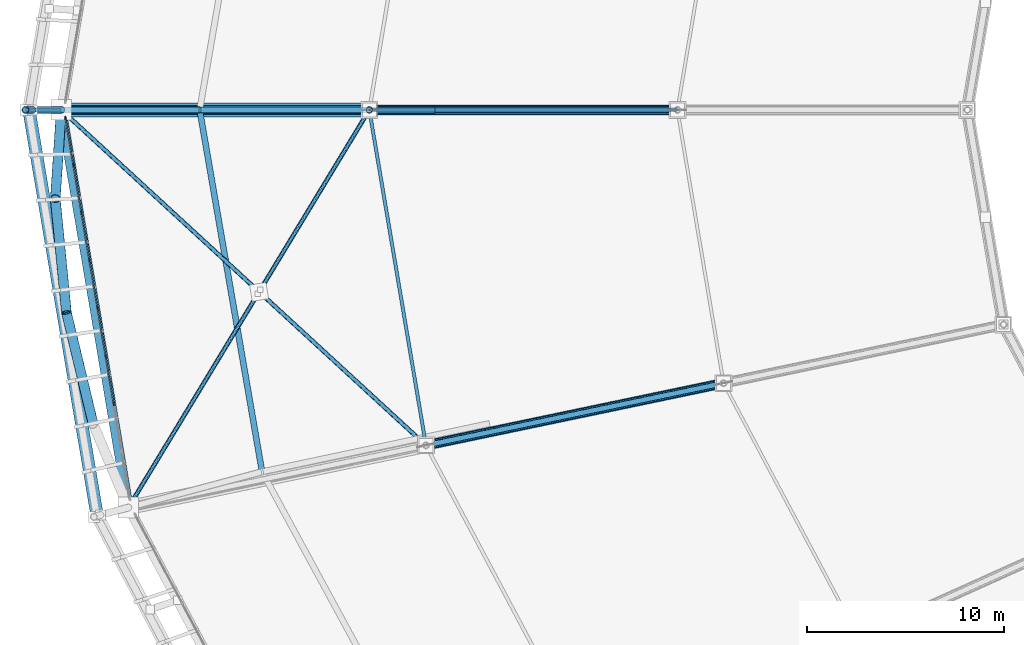
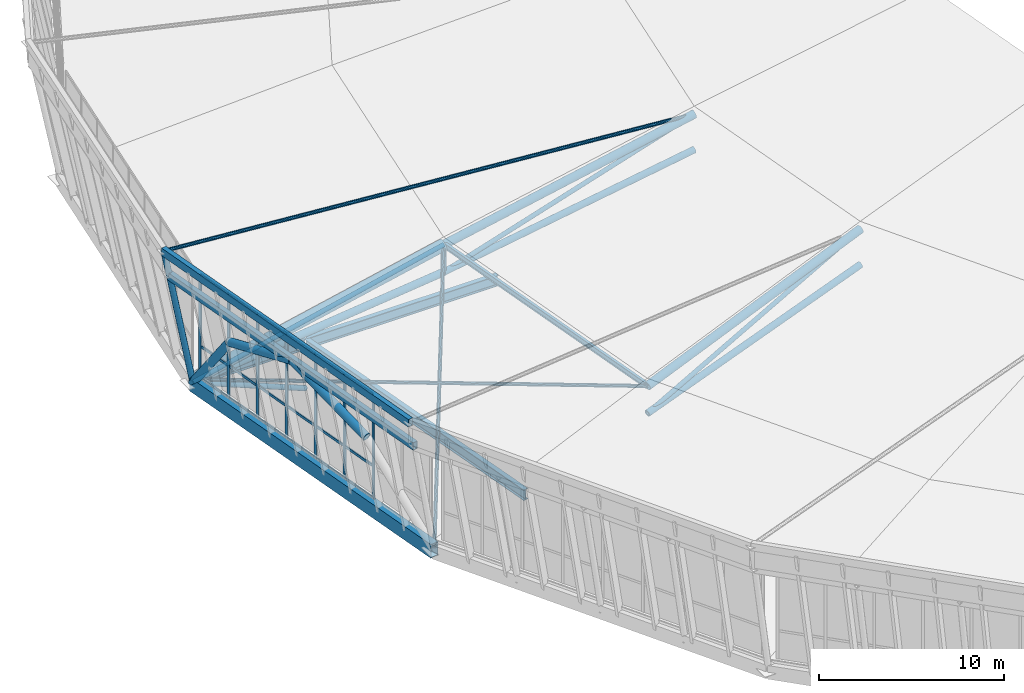
# One storey, part 22 of 115: 46 members, 6 beams, 1 element without a shape of its own.
"""IFC4 building model written with IfcOpenShell, lengths in metres."""

import ifcopenshell
import ifcopenshell.guid

model = None  # the IFC model being written
_history = None  # IfcOwnerHistory: only IFC2X3 demands one
_inside = {}  # id of a spatial element -> (the spatial element, [elements in it])
_under = {}  # id of a project, library or spatial element -> (it, [spatial elements below it])
_declared = {}  # id of a project -> (the project, [libraries it declares])
_typed = {}  # id of a type object -> (the type object, [elements of that type])
_made_of = {}  # id of a material, layer set ... -> (it, [elements and type objects made of it])


def new_model(schema):
    """Start an empty IFC model of exactly this schema.

    Asked for "IFC4X3", IfcOpenShell would pick the latest addendum, in which some entities
    have other attributes; the version numbers below select the first issue.
    IFC2X3 requires an IfcOwnerHistory on every rooted entity: one is made here for all.
    """
    global model, _history
    if schema == "IFC4X3":
        model = ifcopenshell.file(schema_version=(4, 3, 0, 0))
    else:
        model = ifcopenshell.file(schema=schema)
    _inside.clear()
    _under.clear()
    _declared.clear()
    _typed.clear()
    _made_of.clear()
    _history = None
    if model.schema == "IFC2X3":
        org = make("IfcOrganization", Name="unknown")
        user = make(
            "IfcPersonAndOrganization",
            ThePerson=make("IfcPerson", FamilyName="unknown"),
            TheOrganization=org,
        )
        app = make(
            "IfcApplication",
            ApplicationDeveloper=org,
            Version="unknown",
            ApplicationFullName="unknown",
            ApplicationIdentifier="unknown",
        )
        _history = make(
            "IfcOwnerHistory",
            OwningUser=user,
            OwningApplication=app,
            ChangeAction="ADDED",
            CreationDate=0,
        )
    return model


def make(cls, **values):
    """One entity of the class cls with the attributes given. An attribute that is None is left unset."""
    return model.create_entity(
        cls, **{name: value for name, value in values.items() if value is not None}
    )


def rooted(cls, **values):
    """An entity with a GlobalId (a new one), such as an element, a storey or a relation."""
    return make(cls, GlobalId=ifcopenshell.guid.new(), OwnerHistory=_history, **values)


def si_unit(unit_type, name, prefix=None):
    """IfcSIUnit, for example si_unit("LENGTHUNIT", "METRE", prefix="MILLI")."""
    return make("IfcSIUnit", UnitType=unit_type, Prefix=prefix, Name=name)


def assignment(units):
    """IfcUnitAssignment: the units of a project."""
    return None if units is None else make("IfcUnitAssignment", Units=units)


def point(xyz):
    """IfcCartesianPoint."""
    return None if xyz is None else make("IfcCartesianPoint", Coordinates=xyz)


def direction(xyz):
    """IfcDirection."""
    return None if xyz is None else make("IfcDirection", DirectionRatios=xyz)


def frame(location, z_axis=None, x_axis=None):
    """IfcAxis2Placement3D, a coordinate frame: its origin and axes. An axis left out is left unset."""
    return make(
        "IfcAxis2Placement3D",
        Location=point(location),
        Axis=direction(z_axis),
        RefDirection=direction(x_axis),
    )


def frame_2d(location, x_axis=None):
    """IfcAxis2Placement2D, a coordinate frame in the plane: its origin and x axis."""
    return make(
        "IfcAxis2Placement2D", Location=point(location), RefDirection=direction(x_axis)
    )


def origin():
    """The frame at (0, 0, 0) with its axes left unset."""
    return frame((0.0, 0.0, 0.0))


def origin_2d():
    """The frame at (0, 0) in the plane with its x axis left unset."""
    return frame_2d((0.0, 0.0))


def place(relative_to, where):
    """IfcLocalPlacement: puts the frame where relative to a parent placement (None: the world)."""
    return make(
        "IfcLocalPlacement", PlacementRelTo=relative_to, RelativePlacement=where
    )


def context(
    kind, dimensions, precision=None, world=None, true_north=None, identifier=None
):
    """IfcGeometricRepresentationContext, for example the 3D "Model" context."""
    return make(
        "IfcGeometricRepresentationContext",
        ContextIdentifier=identifier,
        ContextType=kind,
        CoordinateSpaceDimension=dimensions,
        Precision=precision,
        WorldCoordinateSystem=world,
        TrueNorth=true_north,
    )


def subcontext(parent, identifier, kind, view, scale=None):
    """IfcGeometricRepresentationSubContext, for example "Body" below "Model"."""
    return make(
        "IfcGeometricRepresentationSubContext",
        ContextIdentifier=identifier,
        ContextType=kind,
        ParentContext=parent,
        TargetScale=scale,
        TargetView=view,
    )


def project(units=None, contexts=None):
    """IfcProject with its units and contexts."""
    return rooted(
        "IfcProject",
        Name="project",
        RepresentationContexts=contexts,
        UnitsInContext=assignment(units),
    )


def spatial(cls, under=None, at=None, **own):
    """A site, building, storey or space (cls), placed at a placement, below another one or the project."""
    s = rooted(cls, ObjectPlacement=at, **own)
    if under is not None:
        _under.setdefault(under.id(), (under, []))[1].append(s)
    return s


def profile(cls, at=None, kind="AREA", **sizes):
    """A parametric profile (cls). Its sizes go by their IFC names, for example OverallWidth=200.0."""
    return make(cls, ProfileType=kind, Position=at, **sizes)


def rectangle(**sizes):
    """IfcRectangleProfileDef."""
    return profile("IfcRectangleProfileDef", **sizes)


def hollow_rectangle(**sizes):
    """IfcRectangleHollowProfileDef."""
    return profile("IfcRectangleHollowProfileDef", **sizes)


def hollow_circle(**sizes):
    """IfcCircleHollowProfileDef."""
    return profile("IfcCircleHollowProfileDef", **sizes)


def i_section(**sizes):
    """IfcIShapeProfileDef."""
    return profile("IfcIShapeProfileDef", **sizes)


def extrude(swept, where, along, depth):
    """IfcExtrudedAreaSolid: the profile swept, set in the frame where, extruded along a direction by depth."""
    return make(
        "IfcExtrudedAreaSolid",
        SweptArea=swept,
        Position=where,
        ExtrudedDirection=direction(along),
        Depth=depth,
    )


def shape(context_of_items, identifier, shape_type, items):
    """IfcShapeRepresentation: the items that make up one representation, for example the "Body"."""
    return make(
        "IfcShapeRepresentation",
        ContextOfItems=context_of_items,
        RepresentationIdentifier=identifier,
        RepresentationType=shape_type,
        Items=items,
    )


def material(Name=None, Category=None):
    """IfcMaterial."""
    return make("IfcMaterial", Name=Name, Category=Category)


def material_profile(
    of_material, cross_section, Name=None, Category=None, Priority=None
):
    """IfcMaterialProfile: a cross section and its material."""
    return make(
        "IfcMaterialProfile",
        Name=Name,
        Material=of_material,
        Profile=cross_section,
        Priority=Priority,
        Category=Category,
    )


def profile_set(profiles, Name=None, composite=None):
    """IfcMaterialProfileSet."""
    return make(
        "IfcMaterialProfileSet",
        Name=Name,
        MaterialProfiles=profiles,
        CompositeProfile=composite,
    )


def made_of(thing, what):
    """Note that an element or type object is made of a material, layer set ...; save() writes the relation."""
    if what is not None:
        _made_of.setdefault(what.id(), (what, []))[1].append(thing)
    return thing


def type_object(cls, material=None, **own):
    """A type object (cls), such as IfcWallType, which elements share."""
    return made_of(rooted(cls, **own), material)


def element(
    cls,
    number,
    at=None,
    inside=None,
    cuts=None,
    type_object=None,
    material=None,
    context=None,
    identifier="Body",
    shape_type=None,
    held_by="IfcProductDefinitionShape",
    body=None,
    shapes=None,
    **own,
):
    """One element of the class cls, such as IfcWall. Its Tag is "e" and its number.

    at: its placement. inside: the storey or other place that contains it. cuts: it is an
    opening in that element (IfcRelVoidsElement). A single representation is given by context,
    identifier, shape_type and body (its items); several are given by shapes. held_by: the class
    of the entity that holds the representations. save() writes the other relations.
    """
    e = rooted(cls, Tag="e%d" % number, ObjectPlacement=at, **own)
    if body is not None:
        shapes = [shape(context, identifier, shape_type, body)]
    if shapes is not None:
        e.Representation = make(held_by, Representations=shapes)
    if inside is not None:
        _inside.setdefault(inside.id(), (inside, []))[1].append(e)
    if cuts is not None:
        rooted(
            "IfcRelVoidsElement", RelatingBuildingElement=cuts, RelatedOpeningElement=e
        )
    if type_object is not None:
        _typed.setdefault(type_object.id(), (type_object, []))[1].append(e)
    return made_of(e, material)


def aggregate(whole, parts):
    """IfcRelAggregates: a whole, such as a stair, and the parts it consists of."""
    return rooted("IfcRelAggregates", RelatingObject=whole, RelatedObjects=parts)


def save(model, path):
    """Write the relations noted so far, then the file.

    IfcRelAggregates (storeys below a building ...), IfcRelContainedInSpatialStructure (elements
    in a storey), IfcRelDefinesByType, IfcRelAssociatesMaterial and IfcRelDeclares: one each for
    every whole, place, type object, material and project.
    """
    for whole, parts in _under.values():
        aggregate(whole, parts)
    for where, things in _inside.values():
        rooted(
            "IfcRelContainedInSpatialStructure",
            RelatedElements=things,
            RelatingStructure=where,
        )
    for kind, things in _typed.values():
        rooted("IfcRelDefinesByType", RelatedObjects=things, RelatingType=kind)
    for what, things in _made_of.values():
        rooted("IfcRelAssociatesMaterial", RelatedObjects=things, RelatingMaterial=what)
    for by, libraries in _declared.values():
        rooted("IfcRelDeclares", RelatingContext=by, RelatedDefinitions=libraries)
    model.write(path)


model = new_model("IFC4")

# Units and contexts
model_context = context("Model", 3, precision=1e-05, world=origin(), true_north=direction((0.0, 1.0)))
body_context = subcontext(model_context, "Body", "Model", "MODEL_VIEW")
ifc_project = project(units=[si_unit("LENGTHUNIT", "METRE"), si_unit("AREAUNIT", "SQUARE_METRE"), si_unit("VOLUMEUNIT", "CUBIC_METRE"), si_unit("PLANEANGLEUNIT", "RADIAN"), si_unit("MASSUNIT", "GRAM", prefix="KILO")], contexts=[model_context])

# Site, building, storey
site_placement = place(None, origin())
site = spatial("IfcSite", under=ifc_project, at=site_placement, CompositionType="ELEMENT")
building_placement = place(site_placement, origin())
building = spatial("IfcBuilding", under=site, at=building_placement, Name="Zlatoyarsky Gate Stadium", CompositionType="ELEMENT")
storey_placement = place(building_placement, frame((0.0, 0.0, 31.800048828125)))
storey = spatial("IfcBuildingStorey", under=building, at=storey_placement, Name="RF", CompositionType="ELEMENT", Elevation=31.800048828125)

# Curtain wall, members
ifc_material_1 = material(Name="Thermally broken anodised aluminium curtain wall", Category="aluminium")
curtain_wall_type = type_object("IfcCurtainWallType", Name="MONUMENTAL ARCHED GATE GLAZING UPPER", PredefinedType="USERDEFINED", material=ifc_material_1)
curtain_wall_placement = place(storey_placement, origin())
curtain_wall = element("IfcCurtainWall", 1, at=curtain_wall_placement, inside=storey, type_object=curtain_wall_type, Name="Curtain wall CW-RF-12", ObjectType="ARCHED GATE GLAZING", PredefinedType="USERDEFINED")
ifc_material_2 = material(Name="Anodised aluminium 6063-T6", Category="aluminium")
ifc_material_profile_1 = material_profile(ifc_material_2, rectangle(XDim=0.074951171875, YDim=0.18994140625, at=origin_2d()), Name="ALU 75X190")
ifc_profile_set_1 = profile_set([ifc_material_profile_1], Name="Anodised aluminium 6063-T6")
member_type_1 = type_object("IfcMemberType", Name="ALUMINIUM GATE MULLION 75X190", PredefinedType="MULLION", material=ifc_profile_set_1)
member_1_placement = place(storey_placement, frame((11.185302734375, 79.568603515625, 0.0), z_axis=(0.0, 0.0, 1.0), x_axis=(0.986044463486, 0.166482179311, 0.0)))
member_1 = element("IfcMember", 2, at=member_1_placement, type_object=member_type_1, Name="CW-AG2 mullion 1", PredefinedType="MULLION", context=body_context, shape_type="SweptSolid", body=[
    extrude(rectangle(XDim=0.074951171875, YDim=0.18994140625, at=origin_2d()), origin(), (0.0, 0.0, 1.0), 6.89990234375),
])
member_2_placement = place(storey_placement, frame((11.587890625, 77.184326171875, 0.0), z_axis=(0.0, 0.0, 1.0), x_axis=(0.986044463486, 0.166482179311, 0.0)))
member_2 = element("IfcMember", 3, at=member_2_placement, type_object=member_type_1, Name="CW-AG2 mullion 2", PredefinedType="MULLION", context=body_context, shape_type="SweptSolid", body=[
    extrude(rectangle(XDim=0.074951171875, YDim=0.18994140625, at=origin_2d()), origin(), (0.0, 0.0, 1.0), 6.89990234375),
])
member_3_placement = place(storey_placement, frame((11.99658203125, 74.76318359375, 0.0), z_axis=(0.0, 0.0, 1.0), x_axis=(0.986044463486, 0.166482179311, 0.0)))
member_3 = element("IfcMember", 4, at=member_3_placement, type_object=member_type_1, Name="CW-AG2 mullion 3", PredefinedType="MULLION", context=body_context, shape_type="SweptSolid", body=[
    extrude(rectangle(XDim=0.074951171875, YDim=0.18994140625, at=origin_2d()), origin(), (0.0, 0.0, 1.0), 6.89990234375),
])
member_4_placement = place(storey_placement, frame((12.405517578125, 72.341796875, 0.0), z_axis=(0.0, 0.0, 1.0), x_axis=(0.986044463486, 0.166482179311, 0.0)))
member_4 = element("IfcMember", 5, at=member_4_placement, type_object=member_type_1, Name="CW-AG2 mullion 4", PredefinedType="MULLION", context=body_context, shape_type="SweptSolid", body=[
    extrude(rectangle(XDim=0.074951171875, YDim=0.18994140625, at=origin_2d()), origin(), (0.0, 0.0, 1.0), 6.89990234375),
])
member_5_placement = place(storey_placement, frame((12.814208984375, 69.920654296875, 0.0), z_axis=(0.0, 0.0, 1.0), x_axis=(0.986044463486, 0.166482179311, 0.0)))
member_5 = element("IfcMember", 6, at=member_5_placement, type_object=member_type_1, Name="CW-AG2 mullion 5", PredefinedType="MULLION", context=body_context, shape_type="SweptSolid", body=[
    extrude(rectangle(XDim=0.074951171875, YDim=0.18994140625, at=origin_2d()), origin(), (0.0, 0.0, 1.0), 6.89990234375),
])
member_6_placement = place(storey_placement, frame((13.222900390625, 67.499267578125, 0.0), z_axis=(0.0, 0.0, 1.0), x_axis=(0.986044463486, 0.166482179311, 0.0)))
member_6 = element("IfcMember", 7, at=member_6_placement, type_object=member_type_1, Name="CW-AG2 mullion 6", PredefinedType="MULLION", context=body_context, shape_type="SweptSolid", body=[
    extrude(rectangle(XDim=0.074951171875, YDim=0.18994140625, at=origin_2d()), origin(), (0.0, 0.0, 1.0), 6.89990234375),
])
member_7_placement = place(storey_placement, frame((13.6318359375, 65.078125, 0.0), z_axis=(0.0, 0.0, 1.0), x_axis=(0.986044463486, 0.166482179311, 0.0)))
member_7 = element("IfcMember", 8, at=member_7_placement, type_object=member_type_1, Name="CW-AG2 mullion 7", PredefinedType="MULLION", context=body_context, shape_type="SweptSolid", body=[
    extrude(rectangle(XDim=0.074951171875, YDim=0.18994140625, at=origin_2d()), origin(), (0.0, 0.0, 1.0), 6.89990234375),
])
ifc_material_profile_2 = material_profile(ifc_material_2, rectangle(XDim=0.074951171875, YDim=0.169921875, at=origin_2d()), Name="ALU 75X170")
ifc_profile_set_2 = profile_set([ifc_material_profile_2], Name="Anodised aluminium 6063-T6")
member_type_2 = type_object("IfcMemberType", Name="ALUMINIUM GATE TRANSOM 75X170", PredefinedType="USERDEFINED", material=ifc_profile_set_2)
member_8_placement = place(storey_placement, frame((11.19140625, 79.53173828125, 0.037353515625), z_axis=(0.166510761943, -0.986039637214, 0.0), x_axis=(0.986039637214, 0.166510761943, 0.0)))
member_8 = element("IfcMember", 9, at=member_8_placement, type_object=member_type_2, Name="CW-AG2 transom 1.1", ObjectType="TRANSOM", PredefinedType="USERDEFINED", context=body_context, shape_type="SweptSolid", body=[
    extrude(rectangle(XDim=0.074951171875, YDim=0.169921875, at=origin_2d()), origin(), (0.0, 0.0, 1.0), 2.343017578125),
])
member_9_placement = place(storey_placement, frame((11.19140625, 79.53173828125, 2.14990234375), z_axis=(0.166510761943, -0.986039637214, 0.0), x_axis=(0.986039637214, 0.166510761943, 0.0)))
member_9 = element("IfcMember", 10, at=member_9_placement, type_object=member_type_2, Name="CW-AG2 transom 1.2", ObjectType="TRANSOM", PredefinedType="USERDEFINED", context=body_context, shape_type="SweptSolid", body=[
    extrude(rectangle(XDim=0.074951171875, YDim=0.169921875, at=origin_2d()), origin(), (0.0, 0.0, 1.0), 2.343017578125),
])
member_10_placement = place(storey_placement, frame((11.19140625, 79.53173828125, 6.862548828125), z_axis=(0.166510761943, -0.986039637214, 0.0), x_axis=(0.986039637214, 0.166510761943, 0.0)))
member_10 = element("IfcMember", 11, at=member_10_placement, type_object=member_type_2, Name="CW-AG2 transom 1.3", ObjectType="TRANSOM", PredefinedType="USERDEFINED", context=body_context, shape_type="SweptSolid", body=[
    extrude(rectangle(XDim=0.074951171875, YDim=0.169921875, at=origin_2d()), origin(), (0.0, 0.0, 1.0), 2.343017578125),
])
member_11_placement = place(storey_placement, frame((11.593994140625, 77.1474609375, 0.037353515625), z_axis=(0.166543868002, -0.986034046081, 0.0), x_axis=(0.986034046081, 0.166543868002, 0.0)))
member_11 = element("IfcMember", 12, at=member_11_placement, type_object=member_type_2, Name="CW-AG2 transom 2.1", ObjectType="TRANSOM", PredefinedType="USERDEFINED", context=body_context, shape_type="SweptSolid", body=[
    extrude(rectangle(XDim=0.074951171875, YDim=0.169921875, at=origin_2d()), origin(), (0.0, 0.0, 1.0), 2.380615234375),
])
member_12_placement = place(storey_placement, frame((11.593994140625, 77.1474609375, 2.14990234375), z_axis=(0.166543868002, -0.986034046081, 0.0), x_axis=(0.986034046081, 0.166543868002, 0.0)))
member_12 = element("IfcMember", 13, at=member_12_placement, type_object=member_type_2, Name="CW-AG2 transom 2.2", ObjectType="TRANSOM", PredefinedType="USERDEFINED", context=body_context, shape_type="SweptSolid", body=[
    extrude(rectangle(XDim=0.074951171875, YDim=0.169921875, at=origin_2d()), origin(), (0.0, 0.0, 1.0), 2.380615234375),
])
member_13_placement = place(storey_placement, frame((11.593994140625, 77.1474609375, 6.862548828125), z_axis=(0.166543868002, -0.986034046081, 0.0), x_axis=(0.986034046081, 0.166543868002, 0.0)))
member_13 = element("IfcMember", 14, at=member_13_placement, type_object=member_type_2, Name="CW-AG2 transom 2.3", ObjectType="TRANSOM", PredefinedType="USERDEFINED", context=body_context, shape_type="SweptSolid", body=[
    extrude(rectangle(XDim=0.074951171875, YDim=0.169921875, at=origin_2d()), origin(), (0.0, 0.0, 1.0), 2.380615234375),
])
member_14_placement = place(storey_placement, frame((12.0029296875, 74.72607421875, 0.037353515625), z_axis=(0.166460991253, -0.98604804061, 0.0), x_axis=(0.98604804061, 0.166460991253, 0.0)))
member_14 = element("IfcMember", 15, at=member_14_placement, type_object=member_type_2, Name="CW-AG2 transom 3.1", ObjectType="TRANSOM", PredefinedType="USERDEFINED", context=body_context, shape_type="SweptSolid", body=[
    extrude(rectangle(XDim=0.074951171875, YDim=0.169921875, at=origin_2d()), origin(), (0.0, 0.0, 1.0), 2.38037109375),
])
member_15_placement = place(storey_placement, frame((12.0029296875, 74.72607421875, 2.14990234375), z_axis=(0.166460991253, -0.98604804061, 0.0), x_axis=(0.98604804061, 0.166460991253, 0.0)))
member_15 = element("IfcMember", 16, at=member_15_placement, type_object=member_type_2, Name="CW-AG2 transom 3.2", ObjectType="TRANSOM", PredefinedType="USERDEFINED", context=body_context, shape_type="SweptSolid", body=[
    extrude(rectangle(XDim=0.074951171875, YDim=0.169921875, at=origin_2d()), origin(), (0.0, 0.0, 1.0), 2.38037109375),
])
member_16_placement = place(storey_placement, frame((12.0029296875, 74.72607421875, 6.862548828125), z_axis=(0.166460991253, -0.98604804061, 0.0), x_axis=(0.98604804061, 0.166460991253, 0.0)))
member_16 = element("IfcMember", 17, at=member_16_placement, type_object=member_type_2, Name="CW-AG2 transom 3.3", ObjectType="TRANSOM", PredefinedType="USERDEFINED", context=body_context, shape_type="SweptSolid", body=[
    extrude(rectangle(XDim=0.074951171875, YDim=0.169921875, at=origin_2d()), origin(), (0.0, 0.0, 1.0), 2.38037109375),
])
member_17_placement = place(storey_placement, frame((12.41162109375, 72.304931640625, 0.037353515625), z_axis=(0.166444158265, -0.986050882145, 0.0), x_axis=(0.986050882145, 0.166444158265, 0.0)))
member_17 = element("IfcMember", 18, at=member_17_placement, type_object=member_type_2, Name="CW-AG2 transom 4.1", ObjectType="TRANSOM", PredefinedType="USERDEFINED", context=body_context, shape_type="SweptSolid", body=[
    extrude(rectangle(XDim=0.074951171875, YDim=0.169921875, at=origin_2d()), origin(), (0.0, 0.0, 1.0), 2.380615234375),
])
member_18_placement = place(storey_placement, frame((12.41162109375, 72.304931640625, 2.14990234375), z_axis=(0.166444158265, -0.986050882145, 0.0), x_axis=(0.986050882145, 0.166444158265, 0.0)))
member_18 = element("IfcMember", 19, at=member_18_placement, type_object=member_type_2, Name="CW-AG2 transom 4.2", ObjectType="TRANSOM", PredefinedType="USERDEFINED", context=body_context, shape_type="SweptSolid", body=[
    extrude(rectangle(XDim=0.074951171875, YDim=0.169921875, at=origin_2d()), origin(), (0.0, 0.0, 1.0), 2.380615234375),
])
member_19_placement = place(storey_placement, frame((12.41162109375, 72.304931640625, 6.862548828125), z_axis=(0.166444158265, -0.986050882145, 0.0), x_axis=(0.986050882145, 0.166444158265, 0.0)))
member_19 = element("IfcMember", 20, at=member_19_placement, type_object=member_type_2, Name="CW-AG2 transom 4.3", ObjectType="TRANSOM", PredefinedType="USERDEFINED", context=body_context, shape_type="SweptSolid", body=[
    extrude(rectangle(XDim=0.074951171875, YDim=0.169921875, at=origin_2d()), origin(), (0.0, 0.0, 1.0), 2.380615234375),
])
member_20_placement = place(storey_placement, frame((12.820556640625, 69.883544921875, 0.037353515625), z_axis=(0.166460991253, -0.98604804061, 0.0), x_axis=(0.98604804061, 0.166460991253, 0.0)))
member_20 = element("IfcMember", 21, at=member_20_placement, type_object=member_type_2, Name="CW-AG2 transom 5.1", ObjectType="TRANSOM", PredefinedType="USERDEFINED", context=body_context, shape_type="SweptSolid", body=[
    extrude(rectangle(XDim=0.074951171875, YDim=0.169921875, at=origin_2d()), origin(), (0.0, 0.0, 1.0), 2.38037109375),
])
member_21_placement = place(storey_placement, frame((12.820556640625, 69.883544921875, 2.14990234375), z_axis=(0.166460991253, -0.98604804061, 0.0), x_axis=(0.98604804061, 0.166460991253, 0.0)))
member_21 = element("IfcMember", 22, at=member_21_placement, type_object=member_type_2, Name="CW-AG2 transom 5.2", ObjectType="TRANSOM", PredefinedType="USERDEFINED", context=body_context, shape_type="SweptSolid", body=[
    extrude(rectangle(XDim=0.074951171875, YDim=0.169921875, at=origin_2d()), origin(), (0.0, 0.0, 1.0), 2.38037109375),
])
member_22_placement = place(storey_placement, frame((12.820556640625, 69.883544921875, 6.862548828125), z_axis=(0.166460991253, -0.98604804061, 0.0), x_axis=(0.98604804061, 0.166460991253, 0.0)))
member_22 = element("IfcMember", 23, at=member_22_placement, type_object=member_type_2, Name="CW-AG2 transom 5.3", ObjectType="TRANSOM", PredefinedType="USERDEFINED", context=body_context, shape_type="SweptSolid", body=[
    extrude(rectangle(XDim=0.074951171875, YDim=0.169921875, at=origin_2d()), origin(), (0.0, 0.0, 1.0), 2.38037109375),
])
member_23_placement = place(storey_placement, frame((13.229248046875, 67.46240234375, 0.037353515625), z_axis=(0.166444158265, -0.986050882145, 0.0), x_axis=(0.986050882145, 0.166444158265, 0.0)))
member_23 = element("IfcMember", 24, at=member_23_placement, type_object=member_type_2, Name="CW-AG2 transom 6.1", ObjectType="TRANSOM", PredefinedType="USERDEFINED", context=body_context, shape_type="SweptSolid", body=[
    extrude(rectangle(XDim=0.074951171875, YDim=0.169921875, at=origin_2d()), origin(), (0.0, 0.0, 1.0), 2.380615234375),
])
member_24_placement = place(storey_placement, frame((13.229248046875, 67.46240234375, 2.14990234375), z_axis=(0.166444158265, -0.986050882145, 0.0), x_axis=(0.986050882145, 0.166444158265, 0.0)))
member_24 = element("IfcMember", 25, at=member_24_placement, type_object=member_type_2, Name="CW-AG2 transom 6.2", ObjectType="TRANSOM", PredefinedType="USERDEFINED", context=body_context, shape_type="SweptSolid", body=[
    extrude(rectangle(XDim=0.074951171875, YDim=0.169921875, at=origin_2d()), origin(), (0.0, 0.0, 1.0), 2.380615234375),
])
member_25_placement = place(storey_placement, frame((13.229248046875, 67.46240234375, 6.862548828125), z_axis=(0.166444158265, -0.986050882145, 0.0), x_axis=(0.986050882145, 0.166444158265, 0.0)))
member_25 = element("IfcMember", 26, at=member_25_placement, type_object=member_type_2, Name="CW-AG2 transom 6.3", ObjectType="TRANSOM", PredefinedType="USERDEFINED", context=body_context, shape_type="SweptSolid", body=[
    extrude(rectangle(XDim=0.074951171875, YDim=0.169921875, at=origin_2d()), origin(), (0.0, 0.0, 1.0), 2.380615234375),
])
aggregate(curtain_wall, [member_1, member_2, member_3, member_4, member_5, member_6, member_7, member_8, member_9, member_10, member_11, member_12, member_13, member_14, member_15, member_16, member_17, member_18, member_19, member_20, member_21, member_22, member_23, member_24, member_25])

# Members
ifc_material_3 = material(Name="Steel S355", Category="steel")
ifc_material_profile_3 = material_profile(ifc_material_3, hollow_circle(Radius=0.228515625, WallThickness=0.02490234375, at=origin_2d()), Name="CHS 457X25")
ifc_profile_set_3 = profile_set([ifc_material_profile_3], Name="Steel S355")
member_type_3 = type_object("IfcMemberType", Name="STEEL ARCH BOTTOM CHORD CHS 457X25", PredefinedType="CHORD", material=ifc_profile_set_3)
member_26_placement = place(storey_placement, frame((10.972412109375, 80.0, -0.449951171875), z_axis=(0.99344724285, 0.0, 0.114291625561), x_axis=(0.0, 1.0, 0.0)))
element("IfcMember", 27, at=member_26_placement, inside=storey, type_object=member_type_3, Name="Radial truss R13 bottom chord 1", PredefinedType="CHORD", context=body_context, shape_type="SweptSolid", body=[
    extrude(hollow_circle(Radius=0.228515625, WallThickness=0.02490234375, at=origin_2d()), origin(), (0.0, 0.0, 1.0), 15.74755859375),
])
ifc_material_profile_4 = material_profile(ifc_material_3, hollow_circle(Radius=0.203125, WallThickness=0.02001953125, at=origin_2d()), Name="CHS 406.4X20")
ifc_profile_set_4 = profile_set([ifc_material_profile_4], Name="Steel S355")
member_type_4 = type_object("IfcMemberType", Name="STEEL ARCH INNER CHORD CHS 406.4X20", PredefinedType="CHORD", material=ifc_profile_set_4)
member_27_placement = place(storey_placement, frame((26.61669921875, 80.0, 1.349853515625), z_axis=(0.98646829902, 0.0, 0.163952111996), x_axis=(0.0, 1.0, 0.0)))
element("IfcMember", 28, at=member_27_placement, inside=storey, type_object=member_type_4, Name="Radial truss R13 bottom chord 2", PredefinedType="CHORD", context=body_context, shape_type="SweptSolid", body=[
    extrude(hollow_circle(Radius=0.203125, WallThickness=0.02001953125, at=origin_2d()), origin(), (0.0, 0.0, 1.0), 15.85888671875),
])
member_28_placement = place(storey_placement, frame((29.491943359375, 62.96337890625, 1.349853515625), z_axis=(0.965249914484, 0.201764304536, 0.166083617508), x_axis=(-0.204605938681, 0.978844425768, 0.0)))
element("IfcMember", 29, at=member_28_placement, inside=storey, type_object=member_type_4, Name="Radial truss R14 bottom chord 2", PredefinedType="CHORD", context=body_context, shape_type="SweptSolid", body=[
    extrude(hollow_circle(Radius=0.203125, WallThickness=0.02001953125, at=origin_2d()), origin(), (0.0, 0.0, 1.0), 15.6552734375),
])
ifc_material_profile_5 = material_profile(ifc_material_3, hollow_circle(Radius=0.25390625, WallThickness=0.02490234375, at=origin_2d()), Name="CHS 508X25")
ifc_profile_set_5 = profile_set([ifc_material_profile_5], Name="Steel S355")
member_type_5 = type_object("IfcMemberType", Name="STEEL ARCH TOP CHORD CHS 508X25", PredefinedType="CHORD", material=ifc_profile_set_5)
member_29_placement = place(storey_placement, frame((10.972412109375, 80.0, -0.449951171875), z_axis=(-0.042754597563, -0.632946474041, 0.773014104261), x_axis=(0.997726376343, -0.067394940091, 0.0)))
element("IfcMember", 30, at=member_29_placement, inside=storey, type_object=member_type_5, Name="Monumental gate portal arch chord 12-1", PredefinedType="CHORD", context=body_context, shape_type="SweptSolid", body=[
    extrude(hollow_circle(Radius=0.25390625, WallThickness=0.02490234375, at=origin_2d()), origin(), (0.0, 0.0, 1.0), 7.114990234375),
])
member_30_placement = place(storey_placement, frame((10.668212890625, 75.49658203125, 5.050048828125), z_axis=(0.09154052463, -0.936028532383, 0.339810121856), x_axis=(0.995251931912, 0.097332379125, 0.0)))
element("IfcMember", 31, at=member_30_placement, inside=storey, type_object=member_type_5, Name="Monumental gate portal arch chord 12-2", PredefinedType="CHORD", context=body_context, shape_type="SweptSolid", body=[
    extrude(hollow_circle(Radius=0.25390625, WallThickness=0.02490234375, at=origin_2d()), origin(), (0.0, 0.0, 1.0), 6.179443359375),
])
member_31_placement = place(storey_placement, frame((11.23388671875, 69.71240234375, 7.14990234375), z_axis=(0.219622597376, -0.915035149126, -0.33834389397), x_axis=(0.97238388679, 0.233387181976, 0.0)))
element("IfcMember", 32, at=member_31_placement, inside=storey, type_object=member_type_5, Name="Monumental gate portal arch chord 12-3", PredefinedType="CHORD", context=body_context, shape_type="SweptSolid", body=[
    extrude(hollow_circle(Radius=0.25390625, WallThickness=0.02490234375, at=origin_2d()), origin(), (0.0, 0.0, 1.0), 6.206298828125),
])
member_32_placement = place(storey_placement, frame((26.61669921875, 80.0, 3.14990234375), z_axis=(0.980323289815, 0.0, 0.197398701735), x_axis=(0.0, 1.0, 0.0)))
element("IfcMember", 33, at=member_32_placement, inside=storey, type_object=member_type_5, Name="Radial truss R13 top chord 2", PredefinedType="CHORD", context=body_context, shape_type="SweptSolid", body=[
    extrude(hollow_circle(Radius=0.25390625, WallThickness=0.02490234375, at=origin_2d()), origin(), (0.0, 0.0, 1.0), 15.958251953125),
])
member_33_placement = place(storey_placement, frame((29.491943359375, 62.96337890625, 3.14990234375), z_axis=(0.959081226952, 0.200474875829, 0.199932549298), x_axis=(-0.204605938681, 0.978844425768, 0.0)))
element("IfcMember", 34, at=member_33_placement, inside=storey, type_object=member_type_5, Name="Radial truss R14 top chord 2", PredefinedType="CHORD", context=body_context, shape_type="SweptSolid", body=[
    extrude(hollow_circle(Radius=0.25390625, WallThickness=0.02490234375, at=origin_2d()), origin(), (0.0, 0.0, 1.0), 15.756103515625),
])
ifc_material_profile_6 = material_profile(ifc_material_3, hollow_circle(Radius=0.35546875, WallThickness=0.031982421875, at=origin_2d()), Name="CHS 711X32")
ifc_profile_set_6 = profile_set([ifc_material_profile_6], Name="Steel S355")
member_type_6 = type_object("IfcMemberType", Name="STEEL ARCH TOP CHORD CHS 711X32", PredefinedType="CHORD", material=ifc_profile_set_6)
member_34_placement = place(storey_placement, frame((10.972412109375, 80.0, -0.25), z_axis=(0.977189712419, 0.0, 0.21236823195), x_axis=(0.0, 1.0, 0.0)))
element("IfcMember", 35, at=member_34_placement, inside=storey, type_object=member_type_6, Name="Radial truss R13 top chord 1", PredefinedType="CHORD", context=body_context, shape_type="SweptSolid", body=[
    extrude(hollow_circle(Radius=0.35546875, WallThickness=0.031982421875, at=origin_2d()), origin(), (0.0, 0.0, 1.0), 16.009521484375),
])
ifc_material_profile_7 = material_profile(ifc_material_3, hollow_circle(Radius=0.109619140625, WallThickness=0.012451171875, at=origin_2d()), Name="CHS 219.1X12.5")
ifc_profile_set_7 = profile_set([ifc_material_profile_7], Name="Steel S355")
member_type_7 = type_object("IfcMemberType", Name="STEEL CANOPY WIND BRACE CHS 219.1X12.5", PredefinedType="BRACE", material=ifc_profile_set_7)
member_35_placement = place(storey_placement, frame((9.15576171875, 80.0, 8.849853515625), z_axis=(0.997046998091, 0.0, -0.07679377317), x_axis=(0.0, 1.0, 0.0)))
element("IfcMember", 36, at=member_35_placement, inside=storey, type_object=member_type_7, Name="Crown fascia tie brace 12", PredefinedType="BRACE", context=body_context, shape_type="SweptSolid", body=[
    extrude(hollow_circle(Radius=0.109619140625, WallThickness=0.012451171875, at=origin_2d()), origin(), (0.0, 0.0, 1.0), 33.203369140625),
])
member_36_placement = place(storey_placement, frame((10.972412109375, 80.0, -0.25), z_axis=(0.729330883965, -0.670931340235, 0.133893981888), x_axis=(0.677027525073, 0.735957695995, 0.0)))
element("IfcMember", 37, at=member_36_placement, inside=storey, type_object=member_type_7, Name="Roof wind X-brace continuous diagonal 12", PredefinedType="BRACE", context=body_context, shape_type="SweptSolid", body=[
    extrude(hollow_circle(Radius=0.109619140625, WallThickness=0.012451171875, at=origin_2d()), origin(), (0.0, 0.0, 1.0), 25.392578125),
])
member_37_placement = place(storey_placement, frame((14.380859375, 59.804931640625, -0.25), z_axis=(0.512908440754, 0.846529417927, 0.142523247186), x_axis=(-0.855260382189, 0.518198493493, 0.0)))
element("IfcMember", 38, at=member_37_placement, inside=storey, type_object=member_type_7, Name="Roof wind X-brace split half-diagonal 12A", PredefinedType="BRACE", context=body_context, shape_type="SweptSolid", body=[
    extrude(hollow_circle(Radius=0.109619140625, WallThickness=0.012451171875, at=origin_2d()), origin(), (0.0, 0.0, 1.0), 12.816650390625),
])
member_38_placement = place(storey_placement, frame((21.0810546875, 70.863525390625, 1.61181640625), z_axis=(0.512902262312, 0.84653529869, 0.142510551846), x_axis=(-0.855264744091, 0.518191294325, 0.0)))
element("IfcMember", 39, at=member_38_placement, inside=storey, type_object=member_type_7, Name="Roof wind X-brace split half-diagonal 12B", PredefinedType="BRACE", context=body_context, shape_type="SweptSolid", body=[
    extrude(hollow_circle(Radius=0.109619140625, WallThickness=0.012451171875, at=origin_2d()), origin(), (0.0, 0.0, 1.0), 10.792724609375),
])
ifc_material_profile_8 = material_profile(ifc_material_3, hollow_circle(Radius=0.177734375, WallThickness=0.02001953125, at=origin_2d()), Name="CHS 355.6X20")
ifc_profile_set_8 = profile_set([ifc_material_profile_8], Name="Steel S355")
member_type_8 = type_object("IfcMemberType", Name="STEEL LEANING RIB RING STRUT CHS 355.6X20", PredefinedType="STRUT", material=ifc_profile_set_8)
member_39_placement = place(storey_placement, frame((10.972412109375, 80.0, -0.449951171875), z_axis=(-0.189627638022, 0.0, 0.981856078506), x_axis=(0.0, -1.0, 0.0)))
element("IfcMember", 40, at=member_39_placement, inside=storey, type_object=member_type_8, Name="Outward-leaning crown fascia lower post 12", PredefinedType="STRUT", context=body_context, shape_type="SweptSolid", body=[
    extrude(hollow_circle(Radius=0.177734375, WallThickness=0.02001953125, at=origin_2d()), origin(), (0.0, 0.0, 1.0), 7.740234375),
])
member_40_placement = place(storey_placement, frame((9.504638671875, 80.0, 7.14990234375), z_axis=(-0.201037606768, 0.0, 0.979583524088), x_axis=(0.0, -1.0, 0.0)))
element("IfcMember", 41, at=member_40_placement, inside=storey, type_object=member_type_8, Name="Outward-leaning crown fascia upper post 12", PredefinedType="STRUT", context=body_context, shape_type="SweptSolid", body=[
    extrude(hollow_circle(Radius=0.177734375, WallThickness=0.02001953125, at=origin_2d()), origin(), (0.0, 0.0, 1.0), 1.7353515625),
])
ifc_material_profile_9 = material_profile(ifc_material_3, i_section(OverallWidth=0.169921875, OverallDepth=0.360107421875, WebThickness=0.008056640625, FlangeThickness=0.0126953125, FilletRadius=0.01806640625, at=origin_2d()), Name="IPE 360")
ifc_profile_set_9 = profile_set([ifc_material_profile_9], Name="Steel S355")
member_type_9 = type_object("IfcMemberType", Name="STEEL LONG SPAN PURLIN IPE 360", PredefinedType="PURLIN", material=ifc_profile_set_9)
member_41_placement = place(storey_placement, frame((26.61669921875, 80.0, 3.179931640625), z_axis=(0.166415106853, -0.986055785547, 0.0), x_axis=(0.986055785547, 0.166415106853, 0.0)))
element("IfcMember", 42, at=member_41_placement, inside=storey, type_object=member_type_9, Name="Stadium roof purlin 12.1", PredefinedType="PURLIN", context=body_context, shape_type="SweptSolid", body=[
    extrude(i_section(OverallWidth=0.169921875, OverallDepth=0.360107421875, WebThickness=0.008056640625, FlangeThickness=0.0126953125, FilletRadius=0.01806640625, at=origin_2d()), origin(), (0.0, 0.0, 1.0), 17.277587890625),
])

# Beams
ifc_material_profile_10 = material_profile(ifc_material_3, hollow_rectangle(XDim=0.300048828125, YDim=0.5, WallThickness=0.02001953125, at=origin_2d()), Name="RHS 500X300X20")
ifc_profile_set_10 = profile_set([ifc_material_profile_10], Name="Steel S355")
beam_type_1 = type_object("IfcBeamType", Name="STEEL LOUVRE CARRIER SPANDREL RHS 500X300X20", PredefinedType="SPANDREL", material=ifc_profile_set_10)
beam_1_placement = place(storey_placement, frame((9.504638671875, 80.0, 7.14990234375), z_axis=(0.165766985081, -0.986164949011, 0.0), x_axis=(0.986164949011, 0.165766985081, 0.0)))
element("IfcBeam", 43, at=beam_1_placement, inside=storey, type_object=beam_type_1, Name="Crown eaves fascia bottom carrier spandrel 12", PredefinedType="SPANDREL", context=body_context, shape_type="SweptSolid", body=[
    extrude(hollow_rectangle(XDim=0.300048828125, YDim=0.5, WallThickness=0.02001953125, at=origin_2d()), origin(), (0.0, 0.0, 1.0), 20.863525390625),
])
beam_2_placement = place(storey_placement, frame((9.15576171875, 80.0, 8.849853515625), z_axis=(0.165617482559, -0.986190067619, 0.0), x_axis=(0.986190067619, 0.165617482559, 0.0)))
element("IfcBeam", 44, at=beam_2_placement, inside=storey, type_object=beam_type_1, Name="Crown fascia top carrier spandrel 12", PredefinedType="SPANDREL", context=body_context, shape_type="SweptSolid", body=[
    extrude(hollow_rectangle(XDim=0.300048828125, YDim=0.5, WallThickness=0.02001953125, at=origin_2d()), origin(), (0.0, 0.0, 1.0), 20.95458984375),
])
ifc_material_profile_11 = material_profile(ifc_material_3, hollow_rectangle(XDim=0.5, YDim=0.89990234375, WallThickness=0.028076171875, at=origin_2d()), Name="RHS 900X500X28")
ifc_profile_set_11 = profile_set([ifc_material_profile_11], Name="Steel S355")
beam_type_2 = type_object("IfcBeamType", Name="STEEL OUTER COMPRESSION RING BEAM RHS 900X500X28", PredefinedType="USERDEFINED", material=ifc_profile_set_11)
beam_3_placement = place(storey_placement, frame((10.972412109375, 80.0, -0.449951171875), z_axis=(0.166422554359, -0.986054528614, 0.0), x_axis=(0.986054528614, 0.166422554359, 0.0)))
element("IfcBeam", 45, at=beam_3_placement, inside=storey, type_object=beam_type_2, Name="Outer compression ring beam 12", ObjectType="RING BEAM", PredefinedType="USERDEFINED", context=body_context, shape_type="SweptSolid", body=[
    extrude(hollow_rectangle(XDim=0.5, YDim=0.89990234375, WallThickness=0.028076171875, at=origin_2d()), origin(), (0.0, 0.0, 1.0), 20.480712890625),
])
ifc_material_profile_12 = material_profile(ifc_material_3, i_section(OverallWidth=0.300048828125, OverallDepth=0.699951171875, WebThickness=0.01708984375, FlangeThickness=0.031982421875, FilletRadius=0.027099609375, at=origin_2d()), Name="HEB 700")
ifc_profile_set_12 = profile_set([ifc_material_profile_12], Name="Steel S355")
beam_type_3 = type_object("IfcBeamType", Name="STEEL ROOF RING GIRDER HEB 700", PredefinedType="BEAM", material=ifc_profile_set_12)
beam_4_placement = place(storey_placement, frame((29.9599609375, 80.0, -0.300048828125), z_axis=(-1.0, 0.0, 0.0), x_axis=(0.0, -1.0, 0.0)))
element("IfcBeam", 46, at=beam_4_placement, inside=storey, type_object=beam_type_3, Name="RF roof tie girder BM-RF-RBC-12", PredefinedType="BEAM", context=body_context, shape_type="SweptSolid", body=[
    extrude(i_section(OverallWidth=0.300048828125, OverallDepth=0.699951171875, WebThickness=0.01708984375, FlangeThickness=0.031982421875, FilletRadius=0.027099609375, at=origin_2d()), origin(), (0.0, 0.0, 1.0), 11.919921875),
])
beam_5_placement = place(storey_placement, frame((17.9599609375, 80.0, -0.300048828125), z_axis=(-1.0, 0.0, 0.0), x_axis=(0.0, -1.0, 0.0)))
element("IfcBeam", 47, at=beam_5_placement, inside=storey, type_object=beam_type_3, Name="RF roof tie girder BM-RF-COUT-12", PredefinedType="BEAM", context=body_context, shape_type="SweptSolid", body=[
    extrude(i_section(OverallWidth=0.300048828125, OverallDepth=0.699951171875, WebThickness=0.01708984375, FlangeThickness=0.031982421875, FilletRadius=0.027099609375, at=origin_2d()), origin(), (0.0, 0.0, 1.0), 6.987548828125),
])
beam_6_placement = place(storey_placement, frame((18.0068359375, 79.960693359375, -0.300048828125), z_axis=(0.169933775621, -0.985455484486, 0.0), x_axis=(0.985455484486, 0.169933775621, 0.0)))
element("IfcBeam", 48, at=beam_6_placement, inside=storey, type_object=beam_type_3, Name="RF roof tie girder BM-RF-CRC-12", PredefinedType="BEAM", context=body_context, shape_type="SweptSolid", body=[
    extrude(i_section(OverallWidth=0.300048828125, OverallDepth=0.699951171875, WebThickness=0.01708984375, FlangeThickness=0.031982421875, FilletRadius=0.027099609375, at=origin_2d()), origin(), (0.0, 0.0, 1.0), 18.567626953125),
])

# Members
ifc_material_profile_13 = material_profile(ifc_material_3, hollow_circle(Radius=0.136474609375, WallThickness=0.01611328125, at=origin_2d()), Name="CHS 273X16")
ifc_profile_set_13 = profile_set([ifc_material_profile_13], Name="Steel S355")
member_type_10 = type_object("IfcMemberType", Name="STEEL ROOF TRUSS DIAGONAL CHS 273X16", PredefinedType="BRACE", material=ifc_profile_set_13)
member_42_placement = place(storey_placement, frame((10.972412109375, 80.0, -0.449951171875), z_axis=(0.974532491229, 0.0, 0.224246345654), x_axis=(0.0, 1.0, 0.0)))
element("IfcMember", 49, at=member_42_placement, inside=storey, type_object=member_type_10, Name="Radial truss R13 web diagonal 1", PredefinedType="BRACE", context=body_context, shape_type="SweptSolid", body=[
    extrude(hollow_circle(Radius=0.136474609375, WallThickness=0.01611328125, at=origin_2d()), origin(), (0.0, 0.0, 1.0), 16.05322265625),
])
member_43_placement = place(storey_placement, frame((26.61669921875, 80.0, 1.349853515625), z_axis=(0.953409360428, 0.0, 0.301679617223), x_axis=(0.0, 1.0, 0.0)))
element("IfcMember", 50, at=member_43_placement, inside=storey, type_object=member_type_10, Name="Radial truss R13 web diagonal 2", PredefinedType="BRACE", context=body_context, shape_type="SweptSolid", body=[
    extrude(hollow_circle(Radius=0.136474609375, WallThickness=0.01611328125, at=origin_2d()), origin(), (0.0, 0.0, 1.0), 16.40869140625),
])
member_44_placement = place(storey_placement, frame((29.491943359375, 62.96337890625, 1.349853515625), z_axis=(0.932098612224, 0.194834752568, 0.305338494595), x_axis=(-0.204605938681, 0.978844425768, 0.0)))
element("IfcMember", 51, at=member_44_placement, inside=storey, type_object=member_type_10, Name="Radial truss R14 web diagonal 2", PredefinedType="BRACE", context=body_context, shape_type="SweptSolid", body=[
    extrude(hollow_circle(Radius=0.136474609375, WallThickness=0.01611328125, at=origin_2d()), origin(), (0.0, 0.0, 1.0), 16.212158203125),
])
ifc_material_profile_14 = material_profile(ifc_material_3, hollow_circle(Radius=0.161865234375, WallThickness=0.01611328125, at=origin_2d()), Name="CHS 323.9X16")
ifc_profile_set_14 = profile_set([ifc_material_profile_14], Name="Steel S355")
member_type_11 = type_object("IfcMemberType", Name="STEEL TRUSS WEB STRUT CHS 323.9X16", PredefinedType="STRUT", material=ifc_profile_set_14)
member_45_placement = place(storey_placement, frame((18.0, 80.0, -3.300048828125), z_axis=(-0.926689879349, 0.0, 0.375826911639), x_axis=(0.0, -1.0, 0.0)))
element("IfcMember", 52, at=member_45_placement, inside=storey, type_object=member_type_11, Name="Arch heel prop 12", PredefinedType="STRUT", context=body_context, shape_type="SweptSolid", body=[
    extrude(hollow_circle(Radius=0.161865234375, WallThickness=0.01611328125, at=origin_2d()), origin(), (0.0, 0.0, 1.0), 7.58349609375),
])
member_46_placement = place(storey_placement, frame((26.61669921875, 80.0, 1.349853515625), z_axis=(0.0, 0.0, 1.0), x_axis=(1.0, 0.0, 0.0)))
element("IfcMember", 53, at=member_46_placement, inside=storey, type_object=member_type_11, Name="Radial truss R13 web strut 1", PredefinedType="STRUT", context=body_context, shape_type="SweptSolid", body=[
    extrude(hollow_circle(Radius=0.161865234375, WallThickness=0.01611328125, at=origin_2d()), origin(), (0.0, 0.0, 1.0), 1.800048828125),
])

save(model, "model.ifc")
